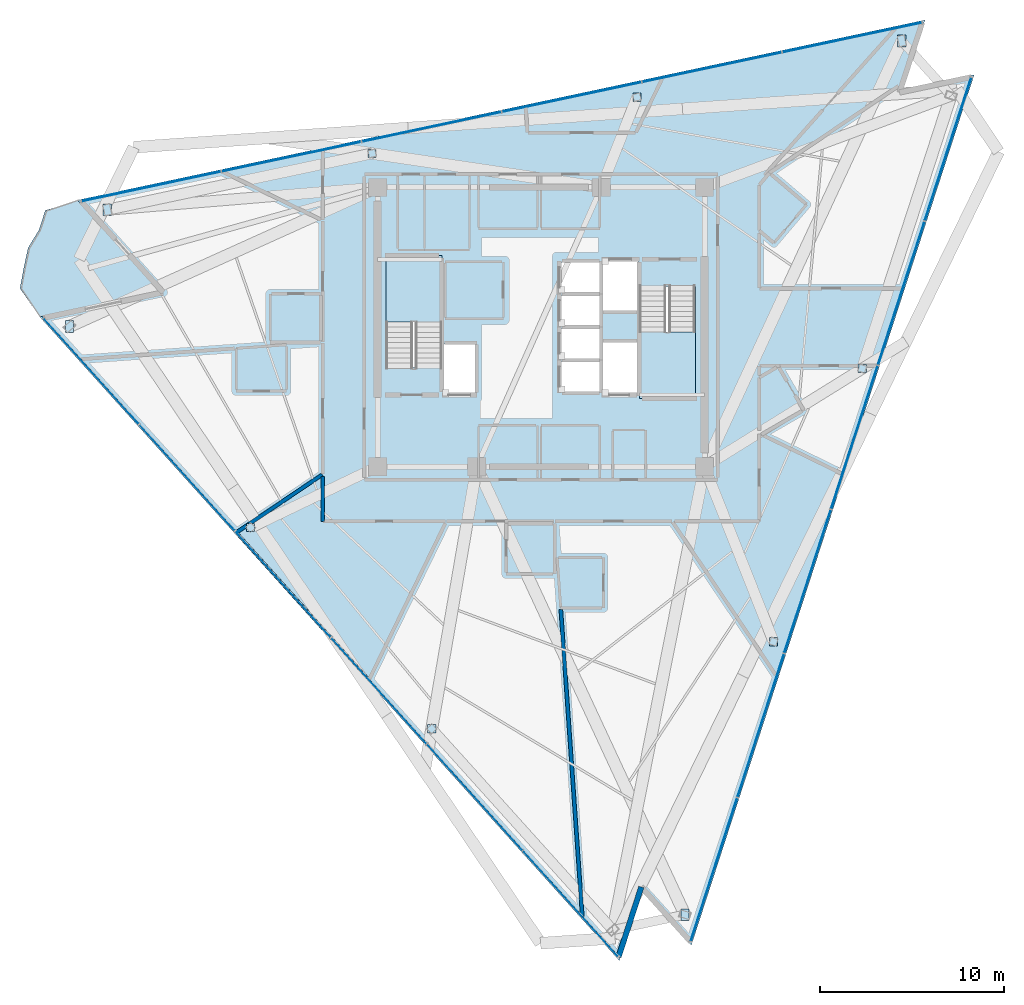
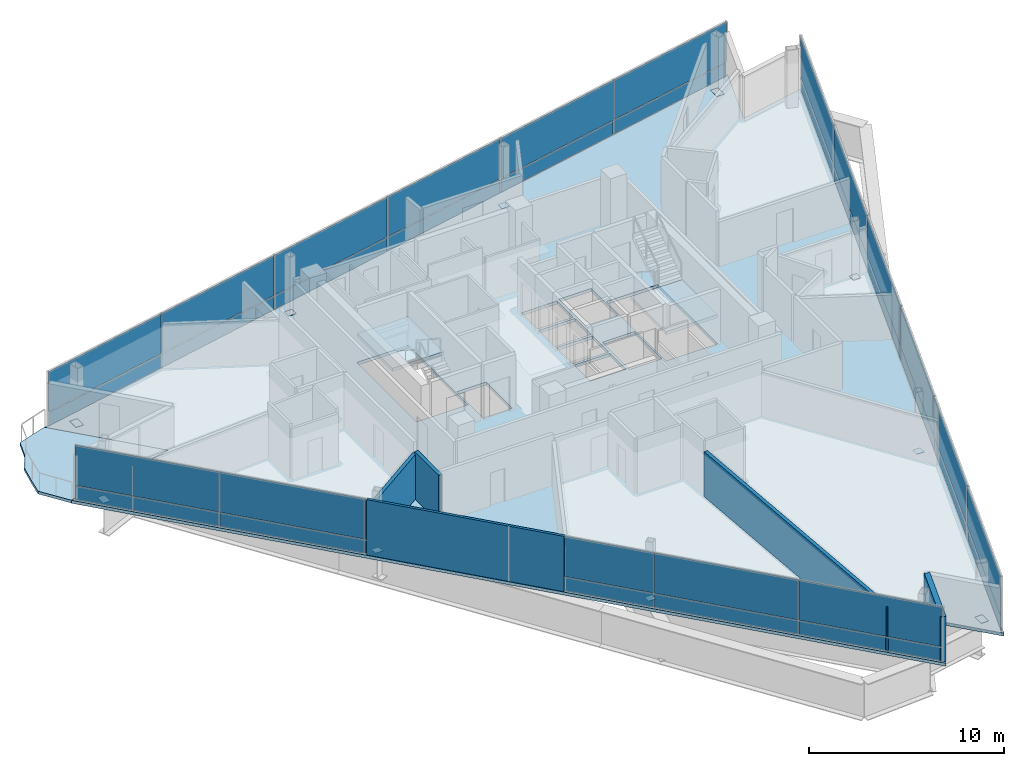
# One storey, part 9 of 18: 46 plates, 5 walls, 4 slabs, 5 elements without a shape of their own.
"""IFC4 building model written with IfcOpenShell, lengths in metres."""

from ifc_helpers import new_model, si_unit, direction, frame, frame_2d, origin, origin_2d, place, context, subcontext, project, spatial, polyline, rectangle, outline, extrude, material, layer, layer_set, type_object, element, aggregate, save


model = new_model("IFC4")

# Units and contexts
model_context = context("Model", 3, precision=1e-05, world=origin(), true_north=direction((0.0, 1.0)))
body_context = subcontext(model_context, "Body", "Model", "MODEL_VIEW")
ifc_project = project(units=[si_unit("LENGTHUNIT", "METRE"), si_unit("AREAUNIT", "SQUARE_METRE"), si_unit("VOLUMEUNIT", "CUBIC_METRE"), si_unit("PLANEANGLEUNIT", "RADIAN"), si_unit("MASSUNIT", "GRAM", prefix="KILO")], contexts=[model_context])

# Site, building, storey
site_placement = place(None, origin())
site = spatial("IfcSite", under=ifc_project, at=site_placement, CompositionType="ELEMENT")
building_placement = place(site_placement, origin())
building = spatial("IfcBuilding", under=site, at=building_placement, Name="Tharavind Bronze Gate", CompositionType="ELEMENT")
storey_placement = place(building_placement, frame((0.0, 0.0, 279.75)))
storey = spatial("IfcBuildingStorey", under=building, at=storey_placement, Name="L72", CompositionType="ELEMENT", Elevation=279.75)

# Curtain wall, plates
ifc_material_1 = material(Name="Anodised Bronze Aluminium", Category="aluminium")
ifc_layer_1 = layer(ifc_material_1, 0.219970703125)
ifc_layer_set_1 = layer_set([ifc_layer_1], Name="Anodised Bronze Aluminium")
curtain_wall_type = type_object("IfcCurtainWallType", Name="UNITISED CURTAIN WALL CROWN", PredefinedType="USERDEFINED", material=ifc_layer_set_1)
curtain_wall_1_placement = place(storey_placement, origin())
curtain_wall_1 = element("IfcCurtainWall", 1, at=curtain_wall_1_placement, inside=storey, type_object=curtain_wall_type, Name="L72 unitised curtain wall crown CW-L72-S1", ObjectType="UNITISED CURTAIN WALL", PredefinedType="USERDEFINED")
ifc_material_2 = material(Name="Patinated Bronze Alloy Sheet", Category="bronze")
ifc_layer_2 = layer(ifc_material_2, 0.01611328125)
ifc_layer_set_2 = layer_set([ifc_layer_2], Name="Patinated Bronze Alloy Sheet")
plate_type_1 = type_object("IfcPlateType", Name="BRONZE SPANDREL CLADDING PANEL 16", PredefinedType="CURTAIN_PANEL", material=ifc_layer_set_2)
plate_1_placement = place(storey_placement, frame((-24.494873046875, -2.404052734375, 0.0263671875), z_axis=(0.0, 0.0, 1.0), x_axis=(0.669130606359, -0.743144825477, 0.0)))
plate_1 = element("IfcPlate", 2, at=plate_1_placement, type_object=plate_type_1, Name="CW-L72-S1 bronze spandrel panel 1", PredefinedType="CURTAIN_PANEL", context=body_context, shape_type="SweptSolid", body=[
    extrude(rectangle(XDim=7.749755859375, YDim=0.01611328125, at=origin_2d()), origin(), (0.0, 0.0, 1.0), 0.846923828125),
])
plate_2_placement = place(storey_placement, frame((-19.273681640625, -8.20263671875, 0.0263671875), z_axis=(0.0, 0.0, 1.0), x_axis=(0.669130606359, -0.743144825477, 0.0)))
plate_2 = element("IfcPlate", 3, at=plate_2_placement, type_object=plate_type_1, Name="CW-L72-S1 bronze spandrel panel 2", PredefinedType="CURTAIN_PANEL", context=body_context, shape_type="SweptSolid", body=[
    extrude(rectangle(XDim=7.749755859375, YDim=0.01611328125, at=origin_2d()), origin(), (0.0, 0.0, 1.0), 0.846923828125),
])
plate_3_placement = place(storey_placement, frame((-14.052734375, -14.001220703125, 0.0263671875), z_axis=(0.0, 0.0, 1.0), x_axis=(0.669130606359, -0.743144825477, 0.0)))
plate_3 = element("IfcPlate", 4, at=plate_3_placement, type_object=plate_type_1, Name="CW-L72-S1 bronze spandrel panel 3", PredefinedType="CURTAIN_PANEL", context=body_context, shape_type="SweptSolid", body=[
    extrude(rectangle(XDim=7.749755859375, YDim=0.01611328125, at=origin_2d()), origin(), (0.0, 0.0, 1.0), 0.846923828125),
])
plate_4_placement = place(storey_placement, frame((-8.831787109375, -19.7998046875, 0.0263671875), z_axis=(0.0, 0.0, 1.0), x_axis=(0.669130606359, -0.743144825477, 0.0)))
plate_4 = element("IfcPlate", 5, at=plate_4_placement, type_object=plate_type_1, Name="CW-L72-S1 bronze spandrel panel 4", PredefinedType="CURTAIN_PANEL", context=body_context, shape_type="SweptSolid", body=[
    extrude(rectangle(XDim=7.749755859375, YDim=0.01611328125, at=origin_2d()), origin(), (0.0, 0.0, 1.0), 0.846923828125),
])
plate_5_placement = place(storey_placement, frame((-3.610595703125, -25.59814453125, 0.0263671875), z_axis=(0.0, 0.0, 1.0), x_axis=(0.669130606359, -0.743144825477, 0.0)))
plate_5 = element("IfcPlate", 6, at=plate_5_placement, type_object=plate_type_1, Name="CW-L72-S1 bronze spandrel panel 5", PredefinedType="CURTAIN_PANEL", context=body_context, shape_type="SweptSolid", body=[
    extrude(rectangle(XDim=7.749755859375, YDim=0.01611328125, at=origin_2d()), origin(), (0.0, 0.0, 1.0), 0.846923828125),
])
plate_6_placement = place(storey_placement, frame((1.6103515625, -31.396728515625, 0.0263671875), z_axis=(0.0, 0.0, 1.0), x_axis=(0.669130606359, -0.743144825477, 0.0)))
plate_6 = element("IfcPlate", 7, at=plate_6_placement, type_object=plate_type_1, Name="CW-L72-S1 bronze spandrel panel 6", PredefinedType="CURTAIN_PANEL", context=body_context, shape_type="SweptSolid", body=[
    extrude(rectangle(XDim=7.749755859375, YDim=0.01611328125, at=origin_2d()), origin(), (0.0, 0.0, 1.0), 0.846923828125),
])

curtain_wall_2_placement = place(storey_placement, origin())
curtain_wall_2 = element("IfcCurtainWall", 8, at=curtain_wall_2_placement, inside=storey, type_object=curtain_wall_type, Name="L72 unitised curtain wall crown CW-L72-S2", ObjectType="UNITISED CURTAIN WALL", PredefinedType="USERDEFINED")
plate_7_placement = place(storey_placement, frame((9.41552734375, -29.54052734375, 0.0263671875), z_axis=(0.0, 0.0, 1.0), x_axis=(0.309016994375, 0.951056516295, 0.0)))
plate_7 = element("IfcPlate", 9, at=plate_7_placement, type_object=plate_type_1, Name="CW-L72-S2 bronze spandrel panel 1", PredefinedType="CURTAIN_PANEL", context=body_context, shape_type="SweptSolid", body=[
    extrude(rectangle(XDim=8.195068359375, YDim=0.01611328125, at=origin_2d()), origin(), (0.0, 0.0, 1.0), 0.846923828125),
])
plate_8_placement = place(storey_placement, frame((11.96435546875, -21.6962890625, 0.0263671875), z_axis=(0.0, 0.0, 1.0), x_axis=(0.309016994375, 0.951056516295, 0.0)))
plate_8 = element("IfcPlate", 10, at=plate_8_placement, type_object=plate_type_1, Name="CW-L72-S2 bronze spandrel panel 2", PredefinedType="CURTAIN_PANEL", context=body_context, shape_type="SweptSolid", body=[
    extrude(rectangle(XDim=8.195068359375, YDim=0.01611328125, at=origin_2d()), origin(), (0.0, 0.0, 1.0), 0.846923828125),
])
plate_9_placement = place(storey_placement, frame((14.51318359375, -13.851806640625, 0.0263671875), z_axis=(0.0, 0.0, 1.0), x_axis=(0.309016994375, 0.951056516295, 0.0)))
plate_9 = element("IfcPlate", 11, at=plate_9_placement, type_object=plate_type_1, Name="CW-L72-S2 bronze spandrel panel 3", PredefinedType="CURTAIN_PANEL", context=body_context, shape_type="SweptSolid", body=[
    extrude(rectangle(XDim=8.195068359375, YDim=0.01611328125, at=origin_2d()), origin(), (0.0, 0.0, 1.0), 0.846923828125),
])
plate_10_placement = place(storey_placement, frame((17.06201171875, -6.007568359375, 0.0263671875), z_axis=(0.0, 0.0, 1.0), x_axis=(0.309016994375, 0.951056516295, 0.0)))
plate_10 = element("IfcPlate", 12, at=plate_10_placement, type_object=plate_type_1, Name="CW-L72-S2 bronze spandrel panel 4", PredefinedType="CURTAIN_PANEL", context=body_context, shape_type="SweptSolid", body=[
    extrude(rectangle(XDim=8.195068359375, YDim=0.01611328125, at=origin_2d()), origin(), (0.0, 0.0, 1.0), 0.846923828125),
])
plate_11_placement = place(storey_placement, frame((19.610595703125, 1.8369140625, 0.0263671875), z_axis=(0.0, 0.0, 1.0), x_axis=(0.309016994375, 0.951056516295, 0.0)))
plate_11 = element("IfcPlate", 13, at=plate_11_placement, type_object=plate_type_1, Name="CW-L72-S2 bronze spandrel panel 5", PredefinedType="CURTAIN_PANEL", context=body_context, shape_type="SweptSolid", body=[
    extrude(rectangle(XDim=8.195068359375, YDim=0.01611328125, at=origin_2d()), origin(), (0.0, 0.0, 1.0), 0.846923828125),
])
plate_12_placement = place(storey_placement, frame((22.159423828125, 9.68115234375, 0.0263671875), z_axis=(0.0, 0.0, 1.0), x_axis=(0.309016994375, 0.951056516295, 0.0)))
plate_12 = element("IfcPlate", 14, at=plate_12_placement, type_object=plate_type_1, Name="CW-L72-S2 bronze spandrel panel 6", PredefinedType="CURTAIN_PANEL", context=body_context, shape_type="SweptSolid", body=[
    extrude(rectangle(XDim=8.195068359375, YDim=0.01611328125, at=origin_2d()), origin(), (0.0, 0.0, 1.0), 0.846923828125),
])

curtain_wall_3_placement = place(storey_placement, origin())
curtain_wall_3 = element("IfcCurtainWall", 15, at=curtain_wall_3_placement, inside=storey, type_object=curtain_wall_type, Name="L72 unitised curtain wall crown CW-L72-S3", ObjectType="UNITISED CURTAIN WALL", PredefinedType="USERDEFINED")
plate_13_placement = place(storey_placement, frame((16.935791015625, 15.770751953125, 0.0263671875), z_axis=(0.0, 0.0, 1.0), x_axis=(-0.978147237858, -0.207913398007, 0.0)))
plate_13 = element("IfcPlate", 16, at=plate_13_placement, type_object=plate_type_1, Name="CW-L72-S3 bronze spandrel panel 1", PredefinedType="CURTAIN_PANEL", context=body_context, shape_type="SweptSolid", body=[
    extrude(rectangle(XDim=7.749755859375, YDim=0.01611328125, at=origin_2d()), origin(), (0.0, 0.0, 1.0), 0.846923828125),
])
plate_14_placement = place(storey_placement, frame((9.3037109375, 14.1484375, 0.0263671875), z_axis=(0.0, 0.0, 1.0), x_axis=(-0.978147237858, -0.207913398007, 0.0)))
plate_14 = element("IfcPlate", 17, at=plate_14_placement, type_object=plate_type_1, Name="CW-L72-S3 bronze spandrel panel 2", PredefinedType="CURTAIN_PANEL", context=body_context, shape_type="SweptSolid", body=[
    extrude(rectangle(XDim=7.749755859375, YDim=0.01611328125, at=origin_2d()), origin(), (0.0, 0.0, 1.0), 0.846923828125),
])
plate_15_placement = place(storey_placement, frame((1.67138671875, 12.526123046875, 0.0263671875), z_axis=(0.0, 0.0, 1.0), x_axis=(-0.978147237858, -0.207913398007, 0.0)))
plate_15 = element("IfcPlate", 18, at=plate_15_placement, type_object=plate_type_1, Name="CW-L72-S3 bronze spandrel panel 3", PredefinedType="CURTAIN_PANEL", context=body_context, shape_type="SweptSolid", body=[
    extrude(rectangle(XDim=7.749755859375, YDim=0.01611328125, at=origin_2d()), origin(), (0.0, 0.0, 1.0), 0.846923828125),
])
plate_16_placement = place(storey_placement, frame((-5.960693359375, 10.90380859375, 0.0263671875), z_axis=(0.0, 0.0, 1.0), x_axis=(-0.978147237858, -0.207913398007, 0.0)))
plate_16 = element("IfcPlate", 19, at=plate_16_placement, type_object=plate_type_1, Name="CW-L72-S3 bronze spandrel panel 4", PredefinedType="CURTAIN_PANEL", context=body_context, shape_type="SweptSolid", body=[
    extrude(rectangle(XDim=7.749755859375, YDim=0.01611328125, at=origin_2d()), origin(), (0.0, 0.0, 1.0), 0.846923828125),
])
plate_17_placement = place(storey_placement, frame((-13.5927734375, 9.281494140625, 0.0263671875), z_axis=(0.0, 0.0, 1.0), x_axis=(-0.978147237858, -0.207913398007, 0.0)))
plate_17 = element("IfcPlate", 20, at=plate_17_placement, type_object=plate_type_1, Name="CW-L72-S3 bronze spandrel panel 5", PredefinedType="CURTAIN_PANEL", context=body_context, shape_type="SweptSolid", body=[
    extrude(rectangle(XDim=7.749755859375, YDim=0.01611328125, at=origin_2d()), origin(), (0.0, 0.0, 1.0), 0.846923828125),
])
plate_18_placement = place(storey_placement, frame((-21.22509765625, 7.6591796875, 0.0263671875), z_axis=(0.0, 0.0, 1.0), x_axis=(-0.978147237858, -0.207913398007, 0.0)))
plate_18 = element("IfcPlate", 21, at=plate_18_placement, type_object=plate_type_1, Name="CW-L72-S3 bronze spandrel panel 6", PredefinedType="CURTAIN_PANEL", context=body_context, shape_type="SweptSolid", body=[
    extrude(rectangle(XDim=7.749755859375, YDim=0.01611328125, at=origin_2d()), origin(), (0.0, 0.0, 1.0), 0.846923828125),
])

# Slab
ifc_material_3 = material(Name="Concrete C40/50", Category="concrete")
ifc_layer_3 = layer(ifc_material_3, 0.175048828125)
ifc_layer_set_3 = layer_set([ifc_layer_3], Name="Concrete C40/50")
slab_type_1 = type_object("IfcSlabType", Name="EXTERIOR BALCONY SLAB 175", PredefinedType="FLOOR", material=ifc_layer_set_3)
slab_1_placement = place(storey_placement, frame((0.0, 0.0, -0.175048828125)))
element("IfcSlab", 22, at=slab_1_placement, inside=storey, type_object=slab_type_1, Name="L72 northeast tree balcony slab", PredefinedType="FLOOR", context=body_context, shape_type="SweptSolid", body=[
    extrude(outline(polyline([(-26.992431640625, 6.34375), (-27.33642578125, 5.284912109375), (-27.927978515625, 4.306396484375), (-28.1650390625, 3.212890625), (-28.36865234375, 2.1083984375), (-27.29541015625, 0.556884765625), (-20.761474609375, 1.94580078125), (-25.231201171875, 6.909912109375), (-26.992431640625, 6.34375)])), origin(), (0.0, 0.0, 1.0), 0.175048828125),
])

# Stair, slab
stair_type = type_object("IfcStairType", Name="CORE HALF TURN STAIR 1450", PredefinedType="HALF_TURN_STAIR", material=ifc_material_3)
stair_1_placement = place(storey_placement, origin())
stair_1 = element("IfcStair", 23, at=stair_1_placement, inside=storey, type_object=stair_type, Name="L72 Protected Exit Stair ST1", PredefinedType="HALF_TURN_STAIR")
ifc_layer_4 = layer(ifc_material_3, 0.199951171875)
ifc_layer_set_4 = layer_set([ifc_layer_4], Name="Concrete C40/50")
slab_type_2 = type_object("IfcSlabType", Name="STAIR LANDING SLAB 200", PredefinedType="LANDING", material=ifc_layer_set_4)
slab_2_placement = place(storey_placement, frame((0.0, 0.0, 1.625)))
slab_2 = element("IfcSlab", 24, at=slab_2_placement, type_object=slab_type_2, Name="ST1 landing 1", PredefinedType="LANDING", context=body_context, shape_type="SweptSolid", body=[
    extrude(outline(polyline([(-5.39990234375, 0.27001953125), (-5.39990234375, 3.89990234375), (-8.449951171875, 3.89990234375), (-8.449951171875, 0.27001953125), (-5.39990234375, 0.27001953125)])), origin(), (0.0, 0.0, 1.0), 0.199951171875),
])
aggregate(stair_1, [slab_2])

stair_2_placement = place(storey_placement, origin())
stair_2 = element("IfcStair", 25, at=stair_2_placement, inside=storey, type_object=stair_type, Name="L72 Protected Exit Stair ST2", PredefinedType="HALF_TURN_STAIR")
slab_3_placement = place(storey_placement, frame((0.0, 0.0, 1.625)))
slab_3 = element("IfcSlab", 26, at=slab_3_placement, type_object=slab_type_2, Name="ST2 landing 1", PredefinedType="LANDING", context=body_context, shape_type="SweptSolid", body=[
    extrude(outline(polyline([(5.35009765625, -0.27001953125), (5.35009765625, -3.89990234375), (8.39990234375, -3.89990234375), (8.39990234375, -0.27001953125), (5.35009765625, -0.27001953125)])), origin(), (0.0, 0.0, 1.0), 0.199951171875),
])
aggregate(stair_2, [slab_3])

# Plates
ifc_material_4 = material(Name="Steel S460", Category="steel")
ifc_layer_5 = layer(ifc_material_4, 0.02490234375)
ifc_layer_set_5 = layer_set([ifc_layer_5], Name="Steel S460")
plate_type_2 = type_object("IfcPlateType", Name="STEEL END CAP SHEET 25", PredefinedType="SHEET", material=ifc_layer_set_5)
plate_19_placement = place(storey_placement, frame((-25.6787109375, 0.03173828125, -0.202392578125), z_axis=(0.0, 0.0, 1.0), x_axis=(1.0, 0.0, 0.0)))
element("IfcPlate", 27, at=plate_19_placement, inside=storey, type_object=plate_type_2, Name="Steel end cap plate CAP-COLB-L72-S1C1", PredefinedType="SHEET", context=body_context, shape_type="SweptSolid", body=[
    extrude(rectangle(XDim=0.445068359375, YDim=0.64501953125, at=origin_2d()), origin(), (0.0, 0.0, 1.0), 0.02490234375),
])
for number, where, z_axis, x_axis, name in (
    (28, (-15.816162109375, -10.921875, -0.202392578125), (0.0, 0.0, 1.0), (1.0, 0.0, 0.0), "Steel end cap plate CAP-COLB-L72-S1C2"),
    (29, (-5.95361328125, -21.875244140625, -0.012451171875), (0.0, 0.0, 1.0), (1.0, 0.0, 0.0), "Steel end cap plate CAP-COLB-L72-S1C3"),
):
    element("IfcPlate", number, at=place(storey_placement, frame(where, z_axis=z_axis, x_axis=x_axis)), inside=storey, type_object=plate_type_2, Name=name, PredefinedType="SHEET", context=body_context, shape_type="SweptSolid", body=[
        extrude(rectangle(XDim=0.445068359375, YDim=0.445068359375, at=origin_2d()), origin(), (0.0, 0.0, 1.0), 0.02490234375),
    ])
plate_20_placement = place(storey_placement, frame((7.829345703125, -31.99560546875, -0.012451171875), z_axis=(0.0, 0.0, 1.0), x_axis=(1.0, 0.0, 0.0)))
element("IfcPlate", 30, at=plate_20_placement, inside=storey, type_object=plate_type_2, Name="Steel end cap plate CAP-COLB-L72-S2C1", PredefinedType="SHEET", context=body_context, shape_type="SweptSolid", body=[
    extrude(rectangle(XDim=0.445068359375, YDim=0.64501953125, at=origin_2d()), origin(), (0.0, 0.0, 1.0), 0.02490234375),
])
for number, where, z_axis, x_axis, name in (
    (31, (12.6591796875, -17.130615234375, -0.202392578125), (0.0, 0.0, 1.0), (1.0, 0.0, 0.0), "Steel end cap plate CAP-COLB-L72-S2C2"),
    (32, (17.4892578125, -2.265380859375, -0.012451171875), (0.0, 0.0, 1.0), (1.0, 0.0, 0.0), "Steel end cap plate CAP-COLB-L72-S2C3"),
):
    element("IfcPlate", number, at=place(storey_placement, frame(where, z_axis=z_axis, x_axis=x_axis)), inside=storey, type_object=plate_type_2, Name=name, PredefinedType="SHEET", context=body_context, shape_type="SweptSolid", body=[
        extrude(rectangle(XDim=0.445068359375, YDim=0.445068359375, at=origin_2d()), origin(), (0.0, 0.0, 1.0), 0.02490234375),
    ])
plate_21_placement = place(storey_placement, frame((19.63720703125, 15.578125, -0.012451171875), z_axis=(0.0, 0.0, 1.0), x_axis=(1.0, 0.0, 0.0)))
element("IfcPlate", 33, at=plate_21_placement, inside=storey, type_object=plate_type_2, Name="Steel end cap plate CAP-COLB-L72-S3C1", PredefinedType="SHEET", context=body_context, shape_type="SweptSolid", body=[
    extrude(rectangle(XDim=0.445068359375, YDim=0.64501953125, at=origin_2d()), origin(), (0.0, 0.0, 1.0), 0.02490234375),
])
for number, where, z_axis, x_axis, name in (
    (34, (5.219970703125, 12.513671875, -0.202392578125), (0.0, 0.0, 1.0), (1.0, 0.0, 0.0), "Steel end cap plate CAP-COLB-L72-S3C2"),
    (35, (-9.197265625, 9.44921875, -0.012451171875), (0.0, 0.0, 1.0), (1.0, 0.0, 0.0), "Steel end cap plate CAP-COLB-L72-S3C3"),
):
    element("IfcPlate", number, at=place(storey_placement, frame(where, z_axis=z_axis, x_axis=x_axis)), inside=storey, type_object=plate_type_2, Name=name, PredefinedType="SHEET", context=body_context, shape_type="SweptSolid", body=[
        extrude(rectangle(XDim=0.445068359375, YDim=0.445068359375, at=origin_2d()), origin(), (0.0, 0.0, 1.0), 0.02490234375),
    ])
plate_22_placement = place(storey_placement, frame((-23.614501953125, 6.384765625, -0.012451171875), z_axis=(0.0, 0.0, 1.0), x_axis=(1.0, 0.0, 0.0)))
element("IfcPlate", 36, at=plate_22_placement, inside=storey, type_object=plate_type_2, Name="Steel end cap plate CAP-COLB-L72-S3C4", PredefinedType="SHEET", context=body_context, shape_type="SweptSolid", body=[
    extrude(rectangle(XDim=0.445068359375, YDim=0.64501953125, at=origin_2d()), origin(), (0.0, 0.0, 1.0), 0.02490234375),
])

# Slab
ifc_layer_6 = layer(ifc_material_3, 0.18994140625)
ifc_layer_set_6 = layer_set([ifc_layer_6], Name="Concrete C40/50")
slab_type_3 = type_object("IfcSlabType", Name="STRUCTURAL FLOOR SLAB 190", PredefinedType="FLOOR", material=ifc_layer_set_6)
slab_4_placement = place(storey_placement, frame((0.0, 0.0, -0.18994140625)))
element("IfcSlab", 37, at=slab_4_placement, inside=storey, type_object=slab_type_3, Name="L72 main structural floor slab", PredefinedType="FLOOR", context=body_context, shape_type="SweptSolid", body=[
    extrude(outline(polyline([(-25.231201171875, 6.909912109375), (-20.761474609375, 1.94580078125), (-27.29541015625, 0.556884765625), (4.262451171875, -34.49169921875), (5.5009765625, -30.6796875), (8.182861328125, -33.658203125), (23.58251953125, 13.737060546875), (19.662109375, 12.90380859375), (20.900634765625, 16.7158203125), (-25.231201171875, 6.909912109375)]), holes=[polyline([(-5.39990234375, -2.215087890625), (-5.39990234375, 3.89990234375), (-8.449951171875, 3.89990234375), (-8.449951171875, -2.215087890625), (-5.39990234375, -2.215087890625)]), polyline([(5.35009765625, 2.215087890625), (5.35009765625, -3.89990234375), (8.39990234375, -3.89990234375), (8.39990234375, 2.215087890625), (5.35009765625, 2.215087890625)]), polyline([(1.080078125, -3.52001953125), (3.199951171875, -3.52001953125), (3.199951171875, -1.8798828125), (1.080078125, -1.8798828125), (1.080078125, -3.52001953125)]), polyline([(1.080078125, -1.719970703125), (3.199951171875, -1.719970703125), (3.199951171875, -0.080078125), (1.080078125, -0.080078125), (1.080078125, -1.719970703125)]), polyline([(1.080078125, 0.080078125), (3.199951171875, 0.080078125), (3.199951171875, 1.719970703125), (1.080078125, 1.719970703125), (1.080078125, 0.080078125)]), polyline([(1.080078125, 1.8798828125), (3.199951171875, 1.8798828125), (3.199951171875, 3.52001953125), (1.080078125, 3.52001953125), (1.080078125, 1.8798828125)]), polyline([(-5.320068359375, -3.6201171875), (-3.580078125, -3.6201171875), (-3.580078125, -0.929931640625), (-5.320068359375, -0.929931640625), (-5.320068359375, -3.6201171875)]), polyline([(3.360107421875, 0.8798828125), (5.27001953125, 0.8798828125), (5.27001953125, 3.6201171875), (3.360107421875, 3.6201171875), (3.360107421875, 0.8798828125)]), polyline([(3.360107421875, -3.6201171875), (5.27001953125, -3.6201171875), (5.27001953125, -0.830078125), (3.360107421875, -0.830078125), (3.360107421875, -3.6201171875)])]), origin(), (0.0, 0.0, 1.0), 0.18994140625),
])

# Plate
ifc_material_5 = material(Name="Triple Solar Control Glazing", Category="glass")
ifc_layer_7 = layer(ifc_material_5, 0.0439453125)
ifc_layer_set_7 = layer_set([ifc_layer_7], Name="Triple Solar Control Glazing")
plate_type_3 = type_object("IfcPlateType", Name="TRIPLE GLAZED FACADE PANEL 44", PredefinedType="CURTAIN_PANEL", material=ifc_layer_set_7)
plate_23_placement = place(storey_placement, frame((-24.494873046875, -2.404052734375, 0.9267578125), z_axis=(0.0, 0.0, 1.0), x_axis=(0.669130606359, -0.743144825477, 0.0)))
plate_23 = element("IfcPlate", 38, at=plate_23_placement, type_object=plate_type_3, Name="CW-L72-S1 vision glazing panel 1", PredefinedType="CURTAIN_PANEL", context=body_context, shape_type="SweptSolid", body=[
    extrude(rectangle(XDim=7.749755859375, YDim=0.0439453125, at=origin_2d()), origin(), (0.0, 0.0, 1.0), 2.511962890625),
])

plate_24_placement = place(storey_placement, frame((-19.273681640625, -8.20263671875, 0.9267578125), z_axis=(0.0, 0.0, 1.0), x_axis=(0.669130606359, -0.743144825477, 0.0)))
plate_24 = element("IfcPlate", 39, at=plate_24_placement, type_object=plate_type_3, Name="CW-L72-S1 vision glazing panel 2", PredefinedType="CURTAIN_PANEL", context=body_context, shape_type="SweptSolid", body=[
    extrude(rectangle(XDim=7.749755859375, YDim=0.0439453125, at=origin_2d()), origin(), (0.0, 0.0, 1.0), 2.511962890625),
])

plate_25_placement = place(storey_placement, frame((-14.052734375, -14.001220703125, 0.9267578125), z_axis=(0.0, 0.0, 1.0), x_axis=(0.669130606359, -0.743144825477, 0.0)))
plate_25 = element("IfcPlate", 40, at=plate_25_placement, type_object=plate_type_3, Name="CW-L72-S1 vision glazing panel 3", PredefinedType="CURTAIN_PANEL", context=body_context, shape_type="SweptSolid", body=[
    extrude(rectangle(XDim=7.749755859375, YDim=0.0439453125, at=origin_2d()), origin(), (0.0, 0.0, 1.0), 2.511962890625),
])

plate_26_placement = place(storey_placement, frame((-8.831787109375, -19.7998046875, 0.9267578125), z_axis=(0.0, 0.0, 1.0), x_axis=(0.669130606359, -0.743144825477, 0.0)))
plate_26 = element("IfcPlate", 41, at=plate_26_placement, type_object=plate_type_3, Name="CW-L72-S1 vision glazing panel 4", PredefinedType="CURTAIN_PANEL", context=body_context, shape_type="SweptSolid", body=[
    extrude(rectangle(XDim=7.749755859375, YDim=0.0439453125, at=origin_2d()), origin(), (0.0, 0.0, 1.0), 2.511962890625),
])

plate_27_placement = place(storey_placement, frame((-3.610595703125, -25.59814453125, 0.9267578125), z_axis=(0.0, 0.0, 1.0), x_axis=(0.669130606359, -0.743144825477, 0.0)))
plate_27 = element("IfcPlate", 42, at=plate_27_placement, type_object=plate_type_3, Name="CW-L72-S1 vision glazing panel 5", PredefinedType="CURTAIN_PANEL", context=body_context, shape_type="SweptSolid", body=[
    extrude(rectangle(XDim=7.749755859375, YDim=0.0439453125, at=origin_2d()), origin(), (0.0, 0.0, 1.0), 2.511962890625),
])

plate_28_placement = place(storey_placement, frame((1.6103515625, -31.396728515625, 0.9267578125), z_axis=(0.0, 0.0, 1.0), x_axis=(0.669130606359, -0.743144825477, 0.0)))
plate_28 = element("IfcPlate", 43, at=plate_28_placement, type_object=plate_type_3, Name="CW-L72-S1 vision glazing panel 6", PredefinedType="CURTAIN_PANEL", context=body_context, shape_type="SweptSolid", body=[
    extrude(rectangle(XDim=7.749755859375, YDim=0.0439453125, at=origin_2d()), origin(), (0.0, 0.0, 1.0), 2.511962890625),
])

aggregate(curtain_wall_1, [plate_1, plate_23, plate_2, plate_24, plate_3, plate_25, plate_4, plate_26, plate_5, plate_27, plate_6, plate_28])

plate_29_placement = place(storey_placement, frame((9.41552734375, -29.54052734375, 0.9267578125), z_axis=(0.0, 0.0, 1.0), x_axis=(0.309016994375, 0.951056516295, 0.0)))
plate_29 = element("IfcPlate", 44, at=plate_29_placement, type_object=plate_type_3, Name="CW-L72-S2 vision glazing panel 1", PredefinedType="CURTAIN_PANEL", context=body_context, shape_type="SweptSolid", body=[
    extrude(rectangle(XDim=8.195068359375, YDim=0.0439453125, at=origin_2d()), origin(), (0.0, 0.0, 1.0), 2.511962890625),
])

plate_30_placement = place(storey_placement, frame((11.96435546875, -21.6962890625, 0.9267578125), z_axis=(0.0, 0.0, 1.0), x_axis=(0.309016994375, 0.951056516295, 0.0)))
plate_30 = element("IfcPlate", 45, at=plate_30_placement, type_object=plate_type_3, Name="CW-L72-S2 vision glazing panel 2", PredefinedType="CURTAIN_PANEL", context=body_context, shape_type="SweptSolid", body=[
    extrude(rectangle(XDim=8.195068359375, YDim=0.0439453125, at=origin_2d()), origin(), (0.0, 0.0, 1.0), 2.511962890625),
])

plate_31_placement = place(storey_placement, frame((14.51318359375, -13.851806640625, 0.9267578125), z_axis=(0.0, 0.0, 1.0), x_axis=(0.309016994375, 0.951056516295, 0.0)))
plate_31 = element("IfcPlate", 46, at=plate_31_placement, type_object=plate_type_3, Name="CW-L72-S2 vision glazing panel 3", PredefinedType="CURTAIN_PANEL", context=body_context, shape_type="SweptSolid", body=[
    extrude(rectangle(XDim=8.195068359375, YDim=0.0439453125, at=origin_2d()), origin(), (0.0, 0.0, 1.0), 2.511962890625),
])

plate_32_placement = place(storey_placement, frame((17.06201171875, -6.007568359375, 0.9267578125), z_axis=(0.0, 0.0, 1.0), x_axis=(0.309016994375, 0.951056516295, 0.0)))
plate_32 = element("IfcPlate", 47, at=plate_32_placement, type_object=plate_type_3, Name="CW-L72-S2 vision glazing panel 4", PredefinedType="CURTAIN_PANEL", context=body_context, shape_type="SweptSolid", body=[
    extrude(rectangle(XDim=8.195068359375, YDim=0.0439453125, at=origin_2d()), origin(), (0.0, 0.0, 1.0), 2.511962890625),
])

plate_33_placement = place(storey_placement, frame((19.610595703125, 1.8369140625, 0.9267578125), z_axis=(0.0, 0.0, 1.0), x_axis=(0.309016994375, 0.951056516295, 0.0)))
plate_33 = element("IfcPlate", 48, at=plate_33_placement, type_object=plate_type_3, Name="CW-L72-S2 vision glazing panel 5", PredefinedType="CURTAIN_PANEL", context=body_context, shape_type="SweptSolid", body=[
    extrude(rectangle(XDim=8.195068359375, YDim=0.0439453125, at=origin_2d()), origin(), (0.0, 0.0, 1.0), 2.511962890625),
])

plate_34_placement = place(storey_placement, frame((22.159423828125, 9.68115234375, 0.9267578125), z_axis=(0.0, 0.0, 1.0), x_axis=(0.309016994375, 0.951056516295, 0.0)))
plate_34 = element("IfcPlate", 49, at=plate_34_placement, type_object=plate_type_3, Name="CW-L72-S2 vision glazing panel 6", PredefinedType="CURTAIN_PANEL", context=body_context, shape_type="SweptSolid", body=[
    extrude(rectangle(XDim=8.195068359375, YDim=0.0439453125, at=origin_2d()), origin(), (0.0, 0.0, 1.0), 2.511962890625),
])

aggregate(curtain_wall_2, [plate_7, plate_29, plate_8, plate_30, plate_9, plate_31, plate_10, plate_32, plate_11, plate_33, plate_12, plate_34])

plate_35_placement = place(storey_placement, frame((16.935791015625, 15.770751953125, 0.9267578125), z_axis=(0.0, 0.0, 1.0), x_axis=(-0.978147237858, -0.207913398007, 0.0)))
plate_35 = element("IfcPlate", 50, at=plate_35_placement, type_object=plate_type_3, Name="CW-L72-S3 vision glazing panel 1", PredefinedType="CURTAIN_PANEL", context=body_context, shape_type="SweptSolid", body=[
    extrude(rectangle(XDim=7.749755859375, YDim=0.0439453125, at=origin_2d()), origin(), (0.0, 0.0, 1.0), 2.511962890625),
])

plate_36_placement = place(storey_placement, frame((9.3037109375, 14.1484375, 0.9267578125), z_axis=(0.0, 0.0, 1.0), x_axis=(-0.978147237858, -0.207913398007, 0.0)))
plate_36 = element("IfcPlate", 51, at=plate_36_placement, type_object=plate_type_3, Name="CW-L72-S3 vision glazing panel 2", PredefinedType="CURTAIN_PANEL", context=body_context, shape_type="SweptSolid", body=[
    extrude(rectangle(XDim=7.749755859375, YDim=0.0439453125, at=origin_2d()), origin(), (0.0, 0.0, 1.0), 2.511962890625),
])

plate_37_placement = place(storey_placement, frame((1.67138671875, 12.526123046875, 0.9267578125), z_axis=(0.0, 0.0, 1.0), x_axis=(-0.978147237858, -0.207913398007, 0.0)))
plate_37 = element("IfcPlate", 52, at=plate_37_placement, type_object=plate_type_3, Name="CW-L72-S3 vision glazing panel 3", PredefinedType="CURTAIN_PANEL", context=body_context, shape_type="SweptSolid", body=[
    extrude(rectangle(XDim=7.749755859375, YDim=0.0439453125, at=origin_2d()), origin(), (0.0, 0.0, 1.0), 2.511962890625),
])

plate_38_placement = place(storey_placement, frame((-5.960693359375, 10.90380859375, 0.9267578125), z_axis=(0.0, 0.0, 1.0), x_axis=(-0.978147237858, -0.207913398007, 0.0)))
plate_38 = element("IfcPlate", 53, at=plate_38_placement, type_object=plate_type_3, Name="CW-L72-S3 vision glazing panel 4", PredefinedType="CURTAIN_PANEL", context=body_context, shape_type="SweptSolid", body=[
    extrude(rectangle(XDim=7.749755859375, YDim=0.0439453125, at=origin_2d()), origin(), (0.0, 0.0, 1.0), 2.511962890625),
])

plate_39_placement = place(storey_placement, frame((-13.5927734375, 9.281494140625, 0.9267578125), z_axis=(0.0, 0.0, 1.0), x_axis=(-0.978147237858, -0.207913398007, 0.0)))
plate_39 = element("IfcPlate", 54, at=plate_39_placement, type_object=plate_type_3, Name="CW-L72-S3 vision glazing panel 5", PredefinedType="CURTAIN_PANEL", context=body_context, shape_type="SweptSolid", body=[
    extrude(rectangle(XDim=7.749755859375, YDim=0.0439453125, at=origin_2d()), origin(), (0.0, 0.0, 1.0), 2.511962890625),
])

plate_40_placement = place(storey_placement, frame((-21.22509765625, 7.6591796875, 0.9267578125), z_axis=(0.0, 0.0, 1.0), x_axis=(-0.978147237858, -0.207913398007, 0.0)))
plate_40 = element("IfcPlate", 55, at=plate_40_placement, type_object=plate_type_3, Name="CW-L72-S3 vision glazing panel 6", PredefinedType="CURTAIN_PANEL", context=body_context, shape_type="SweptSolid", body=[
    extrude(rectangle(XDim=7.749755859375, YDim=0.0439453125, at=origin_2d()), origin(), (0.0, 0.0, 1.0), 2.511962890625),
])

aggregate(curtain_wall_3, [plate_13, plate_35, plate_14, plate_36, plate_15, plate_37, plate_16, plate_38, plate_17, plate_39, plate_18, plate_40])

# Walls
ifc_layer_8 = layer(ifc_material_3, 0.300048828125)
ifc_layer_set_8 = layer_set([ifc_layer_8], Name="Concrete C40/50")
wall_type_1 = type_object("IfcWallType", Name="EXTERIOR SPANDREL WALL 300", PredefinedType="STANDARD", material=ifc_layer_set_8)
wall_1_placement = place(storey_placement, frame((4.220703125, -34.2958984375, 0.0), z_axis=(0.0, 0.0, 1.0), x_axis=(0.309018580232, 0.951056001018, 0.0)))
element("IfcWall", 56, at=wall_1_placement, inside=storey, type_object=wall_type_1, Name="L72 notch cheek wall 2A", PredefinedType="STANDARD", context=body_context, shape_type="SweptSolid", body=[
    extrude(rectangle(XDim=4.0078125, YDim=0.300048828125, at=frame_2d((2.00390625, 0.0))), origin(), (0.0, 0.0, 1.0), 2.81005859375),
])
ifc_material_6 = material(Name="Aerated Concrete Block", Category="concrete")
ifc_layer_9 = layer(ifc_material_6, 0.199951171875)
ifc_layer_set_9 = layer_set([ifc_layer_9], Name="Aerated Concrete Block")
wall_type_2 = type_object("IfcWallType", Name="FIRE RATED PARTITION 200", PredefinedType="PARTITIONING", material=ifc_layer_set_9)
wall_2_placement = place(storey_placement, frame((-16.562255859375, -11.17138671875, 0.0), z_axis=(0.0, 0.0, 1.0), x_axis=(0.829047221476, 0.559178598091, 0.0)))
element("IfcWall", 57, at=wall_2_placement, inside=storey, type_object=wall_type_2, Name="L72 Public Restrooms Block partition", PredefinedType="PARTITIONING", context=body_context, shape_type="SweptSolid", body=[
    extrude(rectangle(XDim=5.600830078125, YDim=0.199951171875, at=frame_2d((2.80029296875, 0.0))), origin(), (0.0, 0.0, 1.0), 2.81005859375),
])
wall_3_placement = place(storey_placement, frame((-11.8798828125, -8.139892578125, 0.0), z_axis=(0.0, 0.0, 1.0), x_axis=(0.0, -1.0, 0.0)))
element("IfcWall", 58, at=wall_3_placement, inside=storey, type_object=wall_type_2, Name="L72 Public Restrooms Block partition", PredefinedType="PARTITIONING", context=body_context, shape_type="SweptSolid", body=[
    extrude(rectangle(XDim=2.439453125, YDim=0.199951171875, at=frame_2d((1.2197265625, 0.0))), origin(), (0.0, 0.0, 1.0), 2.9599609375),
])
wall_4_placement = place(storey_placement, frame((1.075439453125, -15.3798828125, 0.0), z_axis=(0.0, 0.0, 1.0), x_axis=(0.069765789378, -0.997563398804, 0.0)))
element("IfcWall", 59, at=wall_4_placement, inside=storey, type_object=wall_type_2, Name="L72 Deluxe Hotel Suite partition", PredefinedType="PARTITIONING", context=body_context, shape_type="SweptSolid", body=[
    extrude(rectangle(XDim=16.76220703125, YDim=0.199951171875, at=frame_2d((8.381103515625, 0.0))), origin(), (0.0, 0.0, 1.0), 2.81005859375),
])
ifc_material_7 = material(Name="Twin Stud Acoustic Gypsum", Category="gypsum")
ifc_layer_10 = layer(ifc_material_7, 0.14990234375)
ifc_layer_set_10 = layer_set([ifc_layer_10], Name="Twin Stud Acoustic Gypsum")
wall_type_3 = type_object("IfcWallType", Name="INTERIOR PARTITION WALL 150", PredefinedType="PARTITIONING", material=ifc_layer_set_10)
wall_5_placement = place(storey_placement, frame((-9.44287109375, -19.12109375, 0.0), z_axis=(0.0, 0.0, 1.0), x_axis=(-0.669126879752, 0.743148180912, 0.0)))
element("IfcWall", 60, at=wall_5_placement, inside=storey, type_object=wall_type_3, Name="L72 Public Restrooms Block partition", PredefinedType="PARTITIONING", context=body_context, shape_type="SweptSolid", body=[
    extrude(rectangle(XDim=10.646728515625, YDim=0.14990234375, at=frame_2d((5.3232421875, 0.0))), origin(), (0.0, 0.0, 1.0), 3.465087890625),
])

save(model, "model.ifc")
